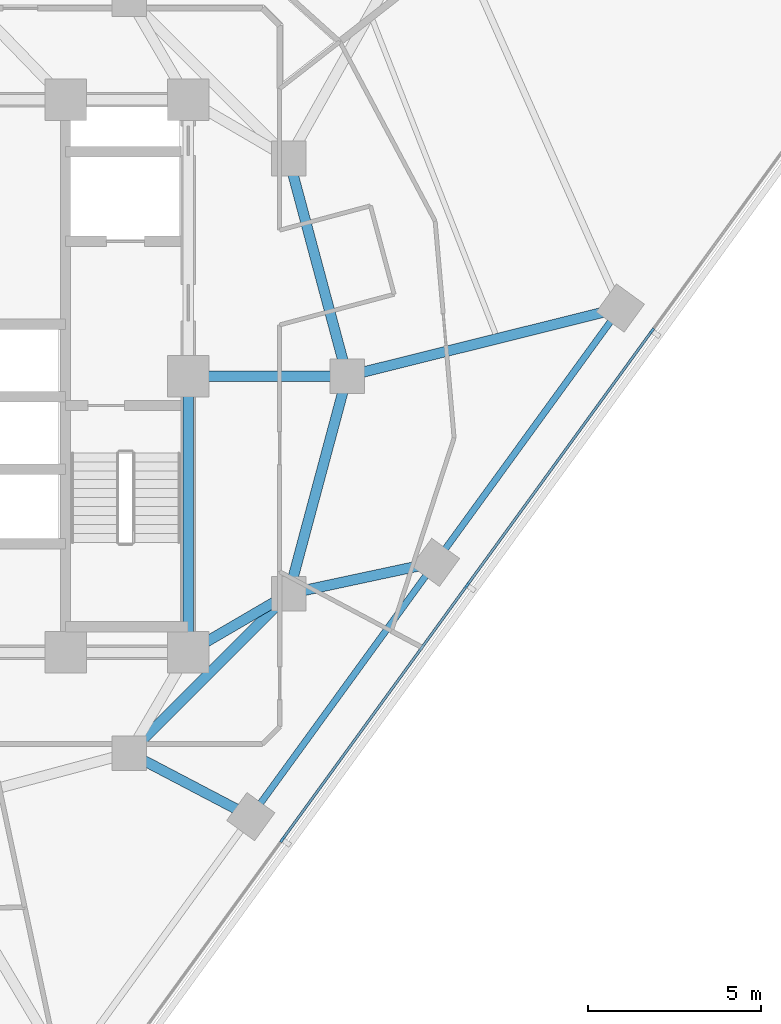
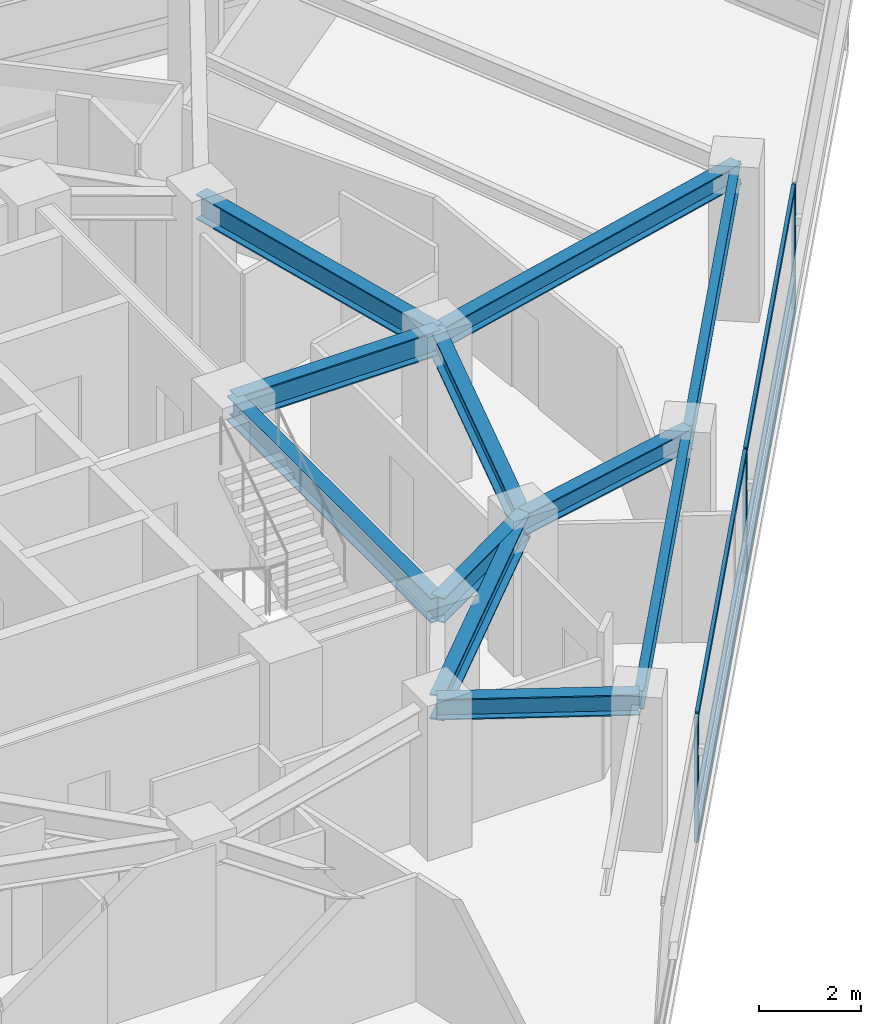
# One storey, part 4 of 14: 11 beams, 9 members, 1 element without a shape of its own.
"""IFC4 building model written with IfcOpenShell, lengths in metres."""

from ifc_helpers import new_model, si_unit, direction, frame, origin, origin_2d, place, context, subcontext, project, spatial, rectangle, i_section, extrude, material, layer, layer_set, material_profile, profile_set, type_object, element, aggregate, save


model = new_model("IFC4")

# Units and contexts
model_context = context("Model", 3, precision=1e-05, world=origin(), true_north=direction((0.0, 1.0)))
body_context = subcontext(model_context, "Body", "Model", "MODEL_VIEW")
ifc_project = project(units=[si_unit("LENGTHUNIT", "METRE"), si_unit("AREAUNIT", "SQUARE_METRE"), si_unit("VOLUMEUNIT", "CUBIC_METRE"), si_unit("PLANEANGLEUNIT", "RADIAN"), si_unit("MASSUNIT", "GRAM", prefix="KILO")], contexts=[model_context])

# Site, building, storey
site_placement = place(None, origin())
site = spatial("IfcSite", under=ifc_project, at=site_placement, CompositionType="ELEMENT")
building_placement = place(site_placement, origin())
building = spatial("IfcBuilding", under=site, at=building_placement, Name="Terralouvre Media Tower", CompositionType="ELEMENT")
storey_placement = place(building_placement, frame((0.0, 0.0, 222.60009765625)))
storey = spatial("IfcBuildingStorey", under=building, at=storey_placement, Name="L57", CompositionType="ELEMENT", Elevation=222.60009765625)

# Curtain wall, members
ifc_material_1 = material(Name="Low-iron laminated double glazing with solar-control coating", Category="glass")
ifc_layer = layer(ifc_material_1, 0.1650390625, Name="Upper Executive Tower Curtain Wall CW-05")
ifc_layer_set = layer_set([ifc_layer], Name="Low-iron laminated double glazing with solar-control coating")
curtain_wall_type = type_object("IfcCurtainWallType", Name="Upper Executive Tower Curtain Wall CW-05", PredefinedType="NOTDEFINED", material=ifc_layer_set)
curtain_wall_placement = place(storey_placement, origin())
curtain_wall = element("IfcCurtainWall", 1, at=curtain_wall_placement, inside=storey, type_object=curtain_wall_type, Name="L57 Facade Curtain Wall F0", PredefinedType="NOTDEFINED")
ifc_material_2 = material(Name="Anodised extruded aluminium 6063-T6", Category="aluminium")
ifc_material_profile_1 = material_profile(ifc_material_2, rectangle(XDim=0.074951171875, YDim=0.14990234375, at=origin_2d()), Name="ALU 75x150")
ifc_profile_set_1 = profile_set([ifc_material_profile_1], Name="Anodised extruded aluminium 6063-T6")
member_type_1 = type_object("IfcMemberType", Name="Curtain-Wall Horizontal Transom TR-150", PredefinedType="USERDEFINED", material=ifc_profile_set_1)
member_1_placement = place(storey_placement, frame((10.748779296875, -13.38720703125, 0.037353515625), z_axis=(0.587772727709, 0.809026093869, 0.0), x_axis=(-0.809026093869, 0.587772727709, 0.0)))
member_1 = element("IfcMember", 2, at=member_1_placement, type_object=member_type_1, Name="CW-05 transom 3.1", ObjectType="TRANSOM", PredefinedType="USERDEFINED", context=body_context, shape_type="SweptSolid", body=[
    extrude(rectangle(XDim=0.074951171875, YDim=0.14990234375, at=origin_2d()), origin(), (0.0, 0.0, 1.0), 9.025146484375),
])
member_2_placement = place(storey_placement, frame((10.748779296875, -13.38720703125, 0.7998046875), z_axis=(0.587772727709, 0.809026093869, 0.0), x_axis=(-0.809026093869, 0.587772727709, 0.0)))
member_2 = element("IfcMember", 3, at=member_2_placement, type_object=member_type_1, Name="CW-05 transom 3.2", ObjectType="TRANSOM", PredefinedType="USERDEFINED", context=body_context, shape_type="SweptSolid", body=[
    extrude(rectangle(XDim=0.074951171875, YDim=0.14990234375, at=origin_2d()), origin(), (0.0, 0.0, 1.0), 9.025146484375),
])
member_3_placement = place(storey_placement, frame((10.748779296875, -13.38720703125, 2.96240234375), z_axis=(0.587772727709, 0.809026093869, 0.0), x_axis=(-0.809026093869, 0.587772727709, 0.0)))
member_3 = element("IfcMember", 4, at=member_3_placement, type_object=member_type_1, Name="CW-05 transom 3.3", ObjectType="TRANSOM", PredefinedType="USERDEFINED", context=body_context, shape_type="SweptSolid", body=[
    extrude(rectangle(XDim=0.074951171875, YDim=0.14990234375, at=origin_2d()), origin(), (0.0, 0.0, 1.0), 9.025146484375),
])
member_4_placement = place(storey_placement, frame((16.09765625, -6.025146484375, 0.037353515625), z_axis=(0.587772727709, 0.809026093869, 0.0), x_axis=(-0.809026093869, 0.587772727709, 0.0)))
member_4 = element("IfcMember", 5, at=member_4_placement, type_object=member_type_1, Name="CW-05 transom 4.1", ObjectType="TRANSOM", PredefinedType="USERDEFINED", context=body_context, shape_type="SweptSolid", body=[
    extrude(rectangle(XDim=0.074951171875, YDim=0.14990234375, at=origin_2d()), origin(), (0.0, 0.0, 1.0), 9.025146484375),
])
member_5_placement = place(storey_placement, frame((16.09765625, -6.025146484375, 0.7998046875), z_axis=(0.587772727709, 0.809026093869, 0.0), x_axis=(-0.809026093869, 0.587772727709, 0.0)))
member_5 = element("IfcMember", 6, at=member_5_placement, type_object=member_type_1, Name="CW-05 transom 4.2", ObjectType="TRANSOM", PredefinedType="USERDEFINED", context=body_context, shape_type="SweptSolid", body=[
    extrude(rectangle(XDim=0.074951171875, YDim=0.14990234375, at=origin_2d()), origin(), (0.0, 0.0, 1.0), 9.025146484375),
])
member_6_placement = place(storey_placement, frame((16.09765625, -6.025146484375, 2.96240234375), z_axis=(0.587772727709, 0.809026093869, 0.0), x_axis=(-0.809026093869, 0.587772727709, 0.0)))
member_6 = element("IfcMember", 7, at=member_6_placement, type_object=member_type_1, Name="CW-05 transom 4.3", ObjectType="TRANSOM", PredefinedType="USERDEFINED", context=body_context, shape_type="SweptSolid", body=[
    extrude(rectangle(XDim=0.074951171875, YDim=0.14990234375, at=origin_2d()), origin(), (0.0, 0.0, 1.0), 9.025146484375),
])
ifc_material_3 = material(Name="Anodised extruded aluminium 6063-T6", Category="aluminium")
ifc_material_profile_2 = material_profile(ifc_material_3, rectangle(XDim=0.074951171875, YDim=0.179931640625, at=origin_2d()), Name="ALU 75x180")
ifc_profile_set_2 = profile_set([ifc_material_profile_2], Name="Anodised extruded aluminium 6063-T6")
member_type_2 = type_object("IfcMemberType", Name="Curtain-Wall Vertical Mullion ML-180", PredefinedType="MULLION", material=ifc_profile_set_2)
member_7_placement = place(storey_placement, frame((10.726806640625, -13.41748046875, 0.0), z_axis=(0.0, 0.0, 1.0), x_axis=(-0.809016959074, 0.587785300879, 0.0)))
member_7 = element("IfcMember", 8, at=member_7_placement, type_object=member_type_2, Name="CW-05 mullion 3", PredefinedType="MULLION", context=body_context, shape_type="SweptSolid", body=[
    extrude(rectangle(XDim=0.074951171875, YDim=0.179931640625, at=origin_2d()), origin(), (0.0, 0.0, 1.0), 3.0),
])
member_8_placement = place(storey_placement, frame((16.075439453125, -6.055419921875, 0.0), z_axis=(0.0, 0.0, 1.0), x_axis=(-0.809016959074, 0.587785300879, 0.0)))
member_8 = element("IfcMember", 9, at=member_8_placement, type_object=member_type_2, Name="CW-05 mullion 4", PredefinedType="MULLION", context=body_context, shape_type="SweptSolid", body=[
    extrude(rectangle(XDim=0.074951171875, YDim=0.179931640625, at=origin_2d()), origin(), (0.0, 0.0, 1.0), 3.0),
])
member_9_placement = place(storey_placement, frame((21.42431640625, 1.306640625, 0.0), z_axis=(0.0, 0.0, 1.0), x_axis=(-0.809016959074, 0.587785300879, 0.0)))
member_9 = element("IfcMember", 10, at=member_9_placement, type_object=member_type_2, Name="CW-05 mullion 5", PredefinedType="MULLION", context=body_context, shape_type="SweptSolid", body=[
    extrude(rectangle(XDim=0.074951171875, YDim=0.179931640625, at=origin_2d()), origin(), (0.0, 0.0, 1.0), 3.0),
])
aggregate(curtain_wall, [member_7, member_8, member_9, member_1, member_2, member_3, member_4, member_5, member_6])

# Beams
ifc_material_4 = material(Name="Structural steel S355J2", Category="steel")
ifc_material_profile_3 = material_profile(ifc_material_4, i_section(OverallWidth=0.18994140625, OverallDepth=0.449951171875, WebThickness=0.009521484375, FlangeThickness=0.0146484375, at=origin_2d()), Name="IPE 450")
ifc_profile_set_3 = profile_set([ifc_material_profile_3], Name="Structural steel S355J2")
beam_type_1 = type_object("IfcBeamType", Name="Perimeter Spandrel Beam SPB-450 (IPE 450)", PredefinedType="SPANDREL", material=ifc_profile_set_3)
for number, where, z_axis, x_axis, name in (
    (11, (9.8125, -12.75341796875, 3.27490234375), (0.587787185033, 0.809015590153, 0.0), (-0.809015590153, 0.587787185033, 0.0), "L57 Framing Beam BM-L57-PR05"),
    (12, (15.161376953125, -5.391357421875, 3.27490234375), (0.587787185033, 0.809015590153, 0.0), (-0.809015590153, 0.587787185033, 0.0), "L57 Framing Beam BM-L57-PR06"),
):
    element("IfcBeam", number, at=place(storey_placement, frame(where, z_axis=z_axis, x_axis=x_axis)), inside=storey, type_object=beam_type_1, Name=name, PredefinedType="SPANDREL", context=body_context, shape_type="SweptSolid", body=[
        extrude(i_section(OverallWidth=0.18994140625, OverallDepth=0.449951171875, WebThickness=0.009521484375, FlangeThickness=0.0146484375, at=origin_2d()), origin(), (0.0, 0.0, 1.0), 9.10009765625),
    ])
ifc_material_5 = material(Name="Structural steel S355J2", Category="steel")
ifc_material_profile_4 = material_profile(ifc_material_5, i_section(OverallWidth=0.300048828125, OverallDepth=0.5, WebThickness=0.014404296875, FlangeThickness=0.028076171875, at=origin_2d()), Name="HEB 500")
ifc_profile_set_4 = profile_set([ifc_material_profile_4], Name="Structural steel S355J2")
beam_type_2 = type_object("IfcBeamType", Name="Primary Floor Girder B-HEB500 (HEB 500)", PredefinedType="BEAM", material=ifc_profile_set_4)
beam_1_placement = place(storey_placement, frame((6.300048828125, -10.911865234375, 3.25), z_axis=(0.885655556229, -0.464342799794, 0.0), x_axis=(0.464342799794, 0.885655556229, 0.0)))
element("IfcBeam", 13, at=beam_1_placement, inside=storey, type_object=beam_type_2, Name="L57 Framing Beam BM-L57-RD05", PredefinedType="BEAM", context=body_context, shape_type="SweptSolid", body=[
    extrude(i_section(OverallWidth=0.300048828125, OverallDepth=0.5, WebThickness=0.014404296875, FlangeThickness=0.028076171875, at=origin_2d()), origin(), (0.0, 0.0, 1.0), 3.9658203125),
])
beam_2_placement = place(storey_placement, frame((10.911865234375, -6.300048828125, 3.25), z_axis=(0.977892761282, 0.209107023871, 0.0), x_axis=(-0.209107023871, 0.977892761282, 0.0)))
element("IfcBeam", 14, at=beam_2_placement, inside=storey, type_object=beam_type_2, Name="L57 Framing Beam BM-L57-RD06", PredefinedType="BEAM", context=body_context, shape_type="SweptSolid", body=[
    extrude(i_section(OverallWidth=0.300048828125, OverallDepth=0.5, WebThickness=0.014404296875, FlangeThickness=0.028076171875, at=origin_2d()), origin(), (0.0, 0.0, 1.0), 4.345458984375),
])
beam_3_placement = place(storey_placement, frame((12.60009765625, 0.0, 3.25), z_axis=(0.970339488521, 0.24174630714, 0.0), x_axis=(-0.24174630714, 0.970339488521, 0.0)))
element("IfcBeam", 15, at=beam_3_placement, inside=storey, type_object=beam_type_2, Name="L57 Framing Beam BM-L57-RD07", PredefinedType="BEAM", context=body_context, shape_type="SweptSolid", body=[
    extrude(i_section(OverallWidth=0.300048828125, OverallDepth=0.5, WebThickness=0.014404296875, FlangeThickness=0.028076171875, at=origin_2d()), origin(), (0.0, 0.0, 1.0), 8.15185546875),
])
ifc_material_6 = material(Name="Structural steel S460M", Category="steel")
ifc_material_profile_5 = material_profile(ifc_material_6, i_section(OverallWidth=0.300048828125, OverallDepth=0.60009765625, WebThickness=0.015380859375, FlangeThickness=0.030029296875, at=origin_2d()), Name="HEB 600")
ifc_profile_set_5 = profile_set([ifc_material_profile_5], Name="Structural steel S460M")
beam_type_3 = type_object("IfcBeamType", Name="Primary Floor Girder B-HEB600 (HEB 600)", PredefinedType="BEAM", material=ifc_profile_set_5)
beam_4_placement = place(storey_placement, frame((8.0, -8.0, 3.199951171875), z_axis=(0.0, 1.0, 0.0), x_axis=(-1.0, 0.0, 0.0)))
element("IfcBeam", 16, at=beam_4_placement, inside=storey, type_object=beam_type_3, Name="L57 Framing Beam BM-L57-CPR04", PredefinedType="BEAM", context=body_context, shape_type="SweptSolid", body=[
    extrude(i_section(OverallWidth=0.300048828125, OverallDepth=0.60009765625, WebThickness=0.015380859375, FlangeThickness=0.030029296875, at=origin_2d()), origin(), (0.0, 0.0, 1.0), 8.0),
])
beam_5_placement = place(storey_placement, frame((6.300048828125, -10.911865234375, 3.199951171875), z_axis=(0.707106781187, 0.707106781187, 0.0), x_axis=(-0.707106781187, 0.707106781187, 0.0)))
element("IfcBeam", 17, at=beam_5_placement, inside=storey, type_object=beam_type_3, Name="L57 Framing Beam BM-L57-MR04", PredefinedType="BEAM", context=body_context, shape_type="SweptSolid", body=[
    extrude(i_section(OverallWidth=0.300048828125, OverallDepth=0.60009765625, WebThickness=0.015380859375, FlangeThickness=0.030029296875, at=origin_2d()), origin(), (0.0, 0.0, 1.0), 6.52197265625),
])
for number, where, z_axis, x_axis, name in (
    (18, (10.911865234375, -6.300048828125, 3.199951171875), (0.258838989821, 0.965920481897, 0.0), (-0.965920481897, 0.258838989821, 0.0), "L57 Framing Beam BM-L57-MR05"),
    (19, (12.60009765625, 0.0, 3.199951171875), (-0.258838989821, 0.965920481897, 0.0), (-0.965920481897, -0.258838989821, 0.0), "L57 Framing Beam BM-L57-MR06"),
):
    element("IfcBeam", number, at=place(storey_placement, frame(where, z_axis=z_axis, x_axis=x_axis)), inside=storey, type_object=beam_type_3, Name=name, PredefinedType="BEAM", context=body_context, shape_type="SweptSolid", body=[
        extrude(i_section(OverallWidth=0.300048828125, OverallDepth=0.60009765625, WebThickness=0.015380859375, FlangeThickness=0.030029296875, at=origin_2d()), origin(), (0.0, 0.0, 1.0), 6.522216796875),
    ])
beam_6_placement = place(storey_placement, frame((8.0, -8.0, 3.199951171875), z_axis=(0.863602894532, 0.504172629717, 0.0), x_axis=(-0.504172629717, 0.863602894532, 0.0)))
element("IfcBeam", 20, at=beam_6_placement, inside=storey, type_object=beam_type_3, Name="L57 Framing Beam BM-L57-CM05", PredefinedType="BEAM", context=body_context, shape_type="SweptSolid", body=[
    extrude(i_section(OverallWidth=0.300048828125, OverallDepth=0.60009765625, WebThickness=0.015380859375, FlangeThickness=0.030029296875, at=origin_2d()), origin(), (0.0, 0.0, 1.0), 3.371826171875),
])
beam_7_placement = place(storey_placement, frame((8.0, 0.0, 3.199951171875), z_axis=(1.0, 0.0, 0.0), x_axis=(0.0, 1.0, 0.0)))
element("IfcBeam", 21, at=beam_7_placement, inside=storey, type_object=beam_type_3, Name="L57 Framing Beam BM-L57-CM06", PredefinedType="BEAM", context=body_context, shape_type="SweptSolid", body=[
    extrude(i_section(OverallWidth=0.300048828125, OverallDepth=0.60009765625, WebThickness=0.015380859375, FlangeThickness=0.030029296875, at=origin_2d()), origin(), (0.0, 0.0, 1.0), 4.60009765625),
])

save(model, "model.ifc")
